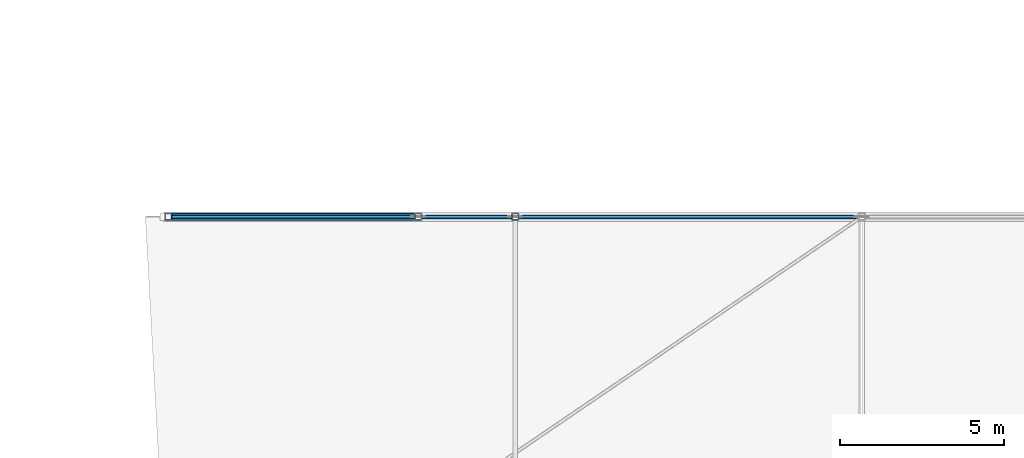
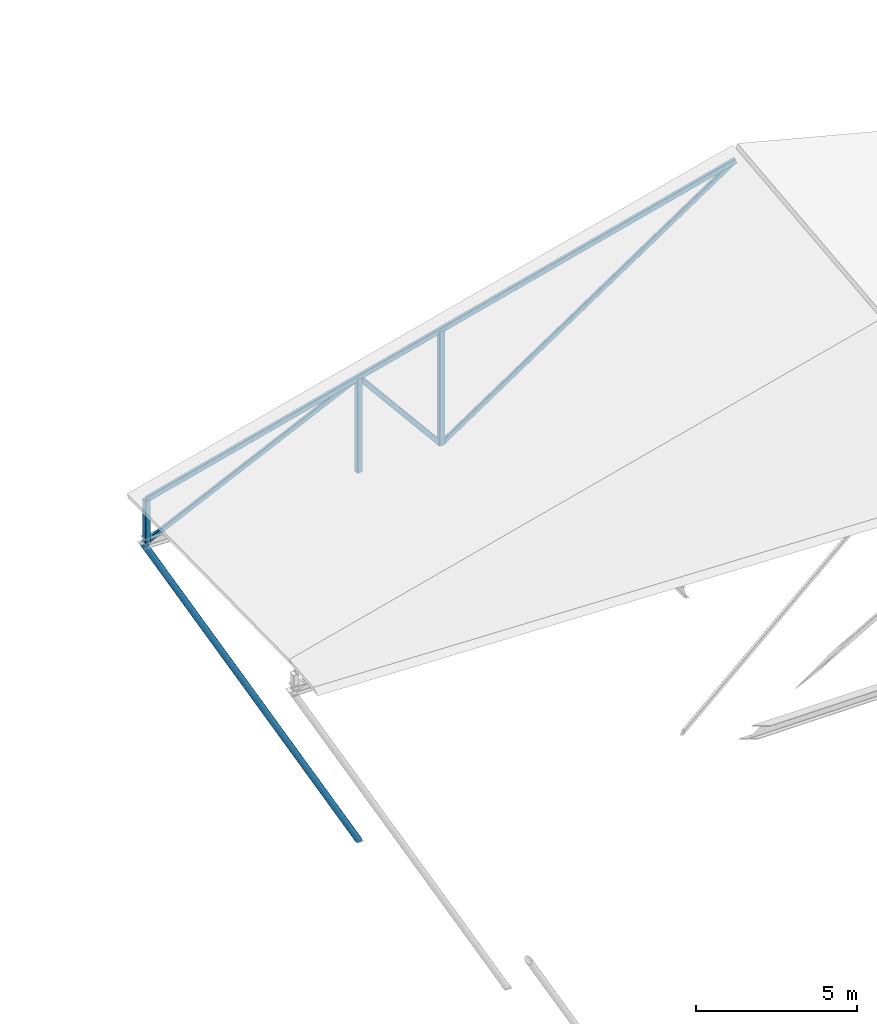
# One storey, part 20 of 56: 8 members.
"""IFC4 building model written with IfcOpenShell, lengths in metres."""

from ifc_helpers import new_model, si_unit, direction, frame, origin, origin_2d, place, context, subcontext, project, spatial, hollow_rectangle, hollow_circle, extrude, material, material_profile, profile_set, type_object, element, save


model = new_model("IFC4")

# Units and contexts
model_context = context("Model", 3, precision=1e-05, world=origin(), true_north=direction((0.0, 1.0)))
body_context = subcontext(model_context, "Body", "Model", "MODEL_VIEW")
ifc_project = project(units=[si_unit("LENGTHUNIT", "METRE"), si_unit("AREAUNIT", "SQUARE_METRE"), si_unit("VOLUMEUNIT", "CUBIC_METRE"), si_unit("PLANEANGLEUNIT", "RADIAN"), si_unit("MASSUNIT", "GRAM", prefix="KILO")], contexts=[model_context])

# Site, building, storey
site_placement = place(None, origin())
site = spatial("IfcSite", under=ifc_project, at=site_placement, CompositionType="ELEMENT")
building_placement = place(site_placement, origin())
building = spatial("IfcBuilding", under=site, at=building_placement, Name="Bozkorgan Art Gallery", CompositionType="ELEMENT")
storey_placement = place(building_placement, frame((0.0, 0.0, 24.0)))
storey = spatial("IfcBuildingStorey", under=building, at=storey_placement, Name="L05", CompositionType="ELEMENT", Elevation=24.0)

# Members
ifc_material = material(Name="Steel S355J2", Category="steel")
ifc_material_profile_1 = material_profile(ifc_material, hollow_circle(Radius=0.109619140625, WallThickness=0.010009765625, at=origin_2d()), Name="CHS 219.1x10")
ifc_profile_set_1 = profile_set([ifc_material_profile_1], Name="Steel S355J2")
member_type_1 = type_object("IfcMemberType", Name="MEMBER-ES-44", PredefinedType="BRACE", material=ifc_profile_set_1)
member_1_placement = place(storey_placement, frame((74.0, 84.39990234375, -13.800048828125), z_axis=(-0.484367254786, 0.0, 0.874864768116), x_axis=(0.0, -1.0, 0.0)))
element("IfcMember", 1, at=member_1_placement, inside=storey, type_object=member_type_1, Name="ROOF-V4-MAIN west swept-eave diagonal tree-strut 5", PredefinedType="BRACE", context=body_context, shape_type="SweptSolid", body=[
    extrude(hollow_circle(Radius=0.109619140625, WallThickness=0.010009765625, at=origin_2d()), origin(), (0.0, 0.0, 1.0), 15.9794921875),
])
ifc_material_profile_2 = material_profile(ifc_material, hollow_rectangle(XDim=0.1201171875, YDim=0.199951171875, WallThickness=0.008056640625, InnerFilletRadius=0.011962890625, OuterFilletRadius=0.02001953125, at=origin_2d()), Name="RHS 200x120x8")
ifc_profile_set_2 = profile_set([ifc_material_profile_2], Name="Steel S355J2")
member_type_2 = type_object("IfcMemberType", Name="MEMBER-TC-48", PredefinedType="CHORD", material=ifc_profile_set_2)
member_2_placement = place(storey_placement, frame((66.39990234375, 84.39990234375, 1.7802734375), z_axis=(0.968148409779, 0.0, 0.250377028984), x_axis=(0.0, 1.0, 0.0)))
element("IfcMember", 2, at=member_2_placement, inside=storey, type_object=member_type_2, Name="ROOF-V4-MAIN roof truss 5 west top chord", PredefinedType="CHORD", context=body_context, shape_type="SweptSolid", body=[
    extrude(hollow_rectangle(XDim=0.1201171875, YDim=0.199951171875, WallThickness=0.008056640625, InnerFilletRadius=0.011962890625, OuterFilletRadius=0.02001953125, at=origin_2d()), origin(), (0.0, 0.0, 1.0), 21.794189453125),
])
ifc_material_profile_3 = material_profile(ifc_material, hollow_rectangle(XDim=0.199951171875, YDim=0.199951171875, WallThickness=0.010009765625, InnerFilletRadius=0.014892578125, OuterFilletRadius=0.02490234375, at=origin_2d()), Name="SHS 200x200x10")
ifc_profile_set_3 = profile_set([ifc_material_profile_3], Name="Steel S355J2")
member_type_3 = type_object("IfcMemberType", Name="MEMBER-TP-32", PredefinedType="POST", material=ifc_profile_set_3)
member_3_placement = place(storey_placement, frame((66.39990234375, 84.39990234375, 0.179931640625), z_axis=(0.0, 0.0, 1.0), x_axis=(1.0, 0.0, 0.0)))
element("IfcMember", 3, at=member_3_placement, inside=storey, type_object=member_type_3, Name="ROOF-V4-MAIN roof truss 5 post 0", PredefinedType="POST", context=body_context, shape_type="SweptSolid", body=[
    extrude(hollow_rectangle(XDim=0.199951171875, YDim=0.199951171875, WallThickness=0.010009765625, InnerFilletRadius=0.014892578125, OuterFilletRadius=0.02490234375, at=origin_2d()), origin(), (0.0, 0.0, 1.0), 1.600341796875),
])
member_4_placement = place(storey_placement, frame((74.0, 84.39990234375, 0.179931640625), z_axis=(0.0, 0.0, 1.0), x_axis=(1.0, 0.0, 0.0)))
element("IfcMember", 4, at=member_4_placement, inside=storey, type_object=member_type_3, Name="ROOF-V4-MAIN roof truss 5 post 1", PredefinedType="POST", context=body_context, shape_type="SweptSolid", body=[
    extrude(hollow_rectangle(XDim=0.199951171875, YDim=0.199951171875, WallThickness=0.010009765625, InnerFilletRadius=0.014892578125, OuterFilletRadius=0.02490234375, at=origin_2d()), origin(), (0.0, 0.0, 1.0), 3.565673828125),
])
member_5_placement = place(storey_placement, frame((76.949951171875, 84.39990234375, 0.179931640625), z_axis=(0.0, 0.0, 1.0), x_axis=(1.0, 0.0, 0.0)))
element("IfcMember", 5, at=member_5_placement, inside=storey, type_object=member_type_3, Name="ROOF-V4-MAIN roof truss 5 post 2", PredefinedType="POST", context=body_context, shape_type="SweptSolid", body=[
    extrude(hollow_rectangle(XDim=0.199951171875, YDim=0.199951171875, WallThickness=0.010009765625, InnerFilletRadius=0.014892578125, OuterFilletRadius=0.02490234375, at=origin_2d()), origin(), (0.0, 0.0, 1.0), 4.32861328125),
])
ifc_material_profile_4 = material_profile(ifc_material, hollow_rectangle(XDim=0.10009765625, YDim=0.179931640625, WallThickness=0.008056640625, InnerFilletRadius=0.011962890625, OuterFilletRadius=0.02001953125, at=origin_2d()), Name="RHS 180x100x8")
ifc_profile_set_4 = profile_set([ifc_material_profile_4], Name="Steel S355J2")
member_type_4 = type_object("IfcMemberType", Name="MEMBER-TW-22", PredefinedType="BRACE", material=ifc_profile_set_4)
member_6_placement = place(storey_placement, frame((66.39990234375, 84.39990234375, 0.179931640625), z_axis=(0.90531568753, 0.0, 0.424739338785), x_axis=(0.0, 1.0, 0.0)))
element("IfcMember", 6, at=member_6_placement, inside=storey, type_object=member_type_4, Name="ROOF-V4-MAIN roof truss 5 diagonal 1", PredefinedType="BRACE", context=body_context, shape_type="SweptSolid", body=[
    extrude(hollow_rectangle(XDim=0.10009765625, YDim=0.179931640625, WallThickness=0.008056640625, InnerFilletRadius=0.011962890625, OuterFilletRadius=0.02001953125, at=origin_2d()), origin(), (0.0, 0.0, 1.0), 8.39501953125),
])
member_7_placement = place(storey_placement, frame((74.0, 84.39990234375, 3.74560546875), z_axis=(0.637445701774, 0.0, -0.770495280511), x_axis=(0.0, 1.0, 0.0)))
element("IfcMember", 7, at=member_7_placement, inside=storey, type_object=member_type_4, Name="ROOF-V4-MAIN roof truss 5 diagonal 2", PredefinedType="BRACE", context=body_context, shape_type="SweptSolid", body=[
    extrude(hollow_rectangle(XDim=0.10009765625, YDim=0.179931640625, WallThickness=0.008056640625, InnerFilletRadius=0.011962890625, OuterFilletRadius=0.02001953125, at=origin_2d()), origin(), (0.0, 0.0, 1.0), 4.627685546875),
])
member_8_placement = place(storey_placement, frame((76.949951171875, 84.39990234375, 0.179931640625), z_axis=(0.831185206962, 0.0, 0.555995640026), x_axis=(0.0, 1.0, 0.0)))
element("IfcMember", 8, at=member_8_placement, inside=storey, type_object=member_type_4, Name="ROOF-V4-MAIN roof truss 5 diagonal 3", PredefinedType="BRACE", context=body_context, shape_type="SweptSolid", body=[
    extrude(hollow_rectangle(XDim=0.10009765625, YDim=0.179931640625, WallThickness=0.008056640625, InnerFilletRadius=0.011962890625, OuterFilletRadius=0.02001953125, at=origin_2d()), origin(), (0.0, 0.0, 1.0), 12.69287109375),
])

save(model, "model.ifc")
